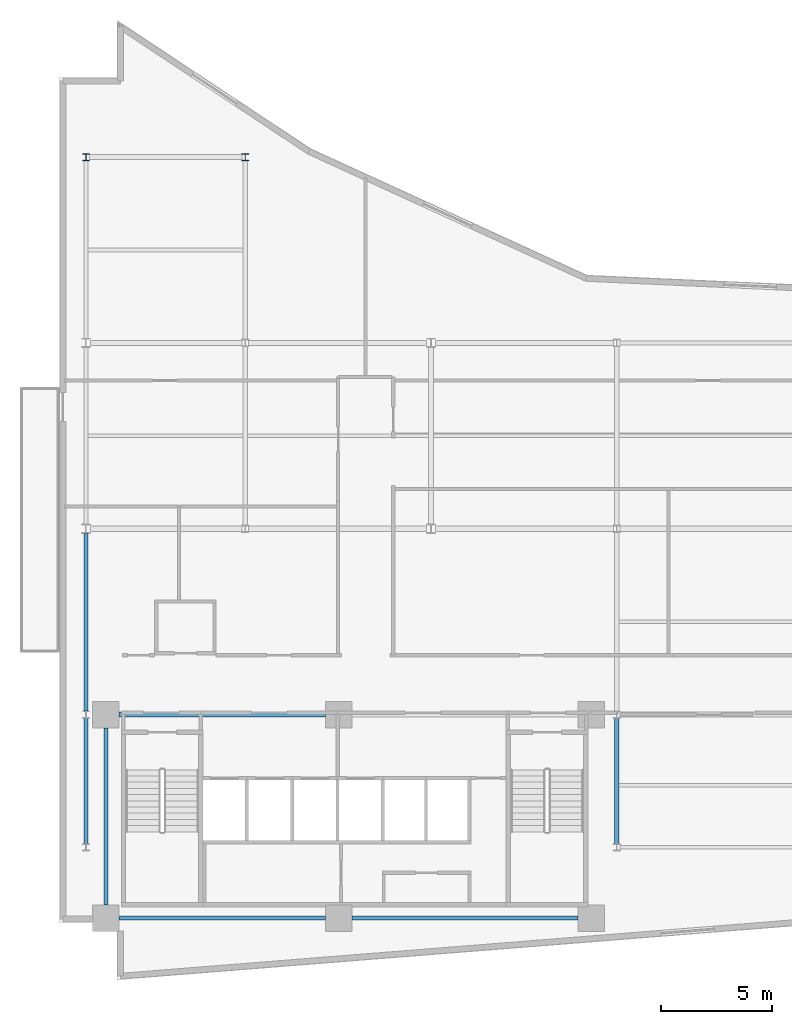
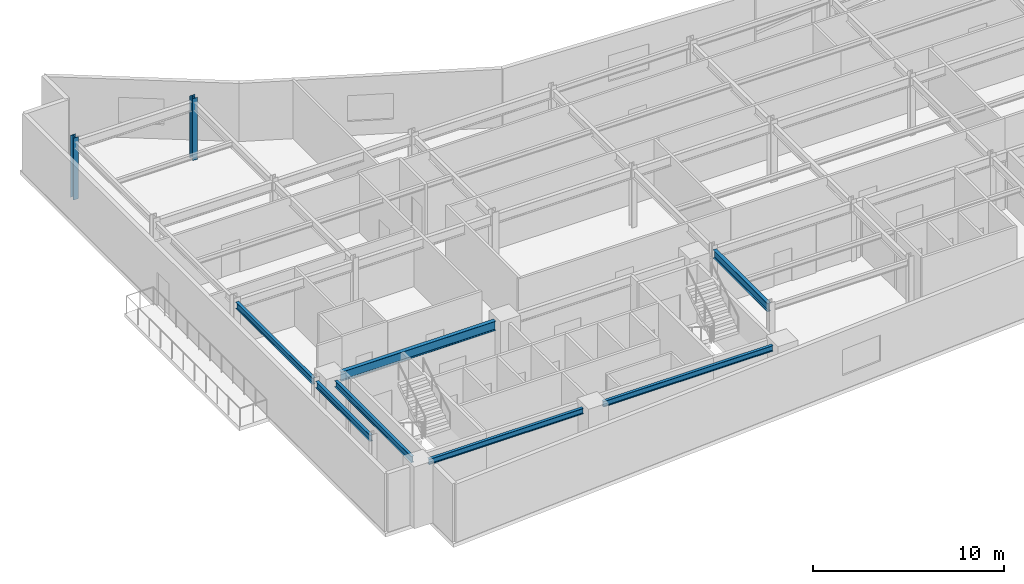
# One storey, part 3 of 16: 7 beams, 2 columns.
"""IFC4 building model written with IfcOpenShell, lengths in metres."""

import ifcopenshell
import ifcopenshell.guid

model = None  # the IFC model being written
_history = None  # IfcOwnerHistory: only IFC2X3 demands one
_inside = {}  # id of a spatial element -> (the spatial element, [elements in it])
_under = {}  # id of a project, library or spatial element -> (it, [spatial elements below it])
_declared = {}  # id of a project -> (the project, [libraries it declares])
_typed = {}  # id of a type object -> (the type object, [elements of that type])
_made_of = {}  # id of a material, layer set ... -> (it, [elements and type objects made of it])


def new_model(schema):
    """Start an empty IFC model of exactly this schema.

    Asked for "IFC4X3", IfcOpenShell would pick the latest addendum, in which some entities
    have other attributes; the version numbers below select the first issue.
    IFC2X3 requires an IfcOwnerHistory on every rooted entity: one is made here for all.
    """
    global model, _history
    if schema == "IFC4X3":
        model = ifcopenshell.file(schema_version=(4, 3, 0, 0))
    else:
        model = ifcopenshell.file(schema=schema)
    _inside.clear()
    _under.clear()
    _declared.clear()
    _typed.clear()
    _made_of.clear()
    _history = None
    if model.schema == "IFC2X3":
        org = make("IfcOrganization", Name="unknown")
        user = make(
            "IfcPersonAndOrganization",
            ThePerson=make("IfcPerson", FamilyName="unknown"),
            TheOrganization=org,
        )
        app = make(
            "IfcApplication",
            ApplicationDeveloper=org,
            Version="unknown",
            ApplicationFullName="unknown",
            ApplicationIdentifier="unknown",
        )
        _history = make(
            "IfcOwnerHistory",
            OwningUser=user,
            OwningApplication=app,
            ChangeAction="ADDED",
            CreationDate=0,
        )
    return model


def make(cls, **values):
    """One entity of the class cls with the attributes given. An attribute that is None is left unset."""
    return model.create_entity(
        cls, **{name: value for name, value in values.items() if value is not None}
    )


def rooted(cls, **values):
    """An entity with a GlobalId (a new one), such as an element, a storey or a relation."""
    return make(cls, GlobalId=ifcopenshell.guid.new(), OwnerHistory=_history, **values)


def si_unit(unit_type, name, prefix=None):
    """IfcSIUnit, for example si_unit("LENGTHUNIT", "METRE", prefix="MILLI")."""
    return make("IfcSIUnit", UnitType=unit_type, Prefix=prefix, Name=name)


def assignment(units):
    """IfcUnitAssignment: the units of a project."""
    return None if units is None else make("IfcUnitAssignment", Units=units)


def point(xyz):
    """IfcCartesianPoint."""
    return None if xyz is None else make("IfcCartesianPoint", Coordinates=xyz)


def direction(xyz):
    """IfcDirection."""
    return None if xyz is None else make("IfcDirection", DirectionRatios=xyz)


def frame(location, z_axis=None, x_axis=None):
    """IfcAxis2Placement3D, a coordinate frame: its origin and axes. An axis left out is left unset."""
    return make(
        "IfcAxis2Placement3D",
        Location=point(location),
        Axis=direction(z_axis),
        RefDirection=direction(x_axis),
    )


def frame_2d(location, x_axis=None):
    """IfcAxis2Placement2D, a coordinate frame in the plane: its origin and x axis."""
    return make(
        "IfcAxis2Placement2D", Location=point(location), RefDirection=direction(x_axis)
    )


def origin():
    """The frame at (0, 0, 0) with its axes left unset."""
    return frame((0.0, 0.0, 0.0))


def origin_2d():
    """The frame at (0, 0) in the plane with its x axis left unset."""
    return frame_2d((0.0, 0.0))


def place(relative_to, where):
    """IfcLocalPlacement: puts the frame where relative to a parent placement (None: the world)."""
    return make(
        "IfcLocalPlacement", PlacementRelTo=relative_to, RelativePlacement=where
    )


def context(
    kind, dimensions, precision=None, world=None, true_north=None, identifier=None
):
    """IfcGeometricRepresentationContext, for example the 3D "Model" context."""
    return make(
        "IfcGeometricRepresentationContext",
        ContextIdentifier=identifier,
        ContextType=kind,
        CoordinateSpaceDimension=dimensions,
        Precision=precision,
        WorldCoordinateSystem=world,
        TrueNorth=true_north,
    )


def subcontext(parent, identifier, kind, view, scale=None):
    """IfcGeometricRepresentationSubContext, for example "Body" below "Model"."""
    return make(
        "IfcGeometricRepresentationSubContext",
        ContextIdentifier=identifier,
        ContextType=kind,
        ParentContext=parent,
        TargetScale=scale,
        TargetView=view,
    )


def project(units=None, contexts=None):
    """IfcProject with its units and contexts."""
    return rooted(
        "IfcProject",
        Name="project",
        RepresentationContexts=contexts,
        UnitsInContext=assignment(units),
    )


def spatial(cls, under=None, at=None, **own):
    """A site, building, storey or space (cls), placed at a placement, below another one or the project."""
    s = rooted(cls, ObjectPlacement=at, **own)
    if under is not None:
        _under.setdefault(under.id(), (under, []))[1].append(s)
    return s


def profile(cls, at=None, kind="AREA", **sizes):
    """A parametric profile (cls). Its sizes go by their IFC names, for example OverallWidth=200.0."""
    return make(cls, ProfileType=kind, Position=at, **sizes)


def i_section(**sizes):
    """IfcIShapeProfileDef."""
    return profile("IfcIShapeProfileDef", **sizes)


def extrude(swept, where, along, depth):
    """IfcExtrudedAreaSolid: the profile swept, set in the frame where, extruded along a direction by depth."""
    return make(
        "IfcExtrudedAreaSolid",
        SweptArea=swept,
        Position=where,
        ExtrudedDirection=direction(along),
        Depth=depth,
    )


def shape(context_of_items, identifier, shape_type, items):
    """IfcShapeRepresentation: the items that make up one representation, for example the "Body"."""
    return make(
        "IfcShapeRepresentation",
        ContextOfItems=context_of_items,
        RepresentationIdentifier=identifier,
        RepresentationType=shape_type,
        Items=items,
    )


def material(Name=None, Category=None):
    """IfcMaterial."""
    return make("IfcMaterial", Name=Name, Category=Category)


def material_profile(
    of_material, cross_section, Name=None, Category=None, Priority=None
):
    """IfcMaterialProfile: a cross section and its material."""
    return make(
        "IfcMaterialProfile",
        Name=Name,
        Material=of_material,
        Profile=cross_section,
        Priority=Priority,
        Category=Category,
    )


def profile_set(profiles, Name=None, composite=None):
    """IfcMaterialProfileSet."""
    return make(
        "IfcMaterialProfileSet",
        Name=Name,
        MaterialProfiles=profiles,
        CompositeProfile=composite,
    )


def made_of(thing, what):
    """Note that an element or type object is made of a material, layer set ...; save() writes the relation."""
    if what is not None:
        _made_of.setdefault(what.id(), (what, []))[1].append(thing)
    return thing


def type_object(cls, material=None, **own):
    """A type object (cls), such as IfcWallType, which elements share."""
    return made_of(rooted(cls, **own), material)


def element(
    cls,
    number,
    at=None,
    inside=None,
    cuts=None,
    type_object=None,
    material=None,
    context=None,
    identifier="Body",
    shape_type=None,
    held_by="IfcProductDefinitionShape",
    body=None,
    shapes=None,
    **own,
):
    """One element of the class cls, such as IfcWall. Its Tag is "e" and its number.

    at: its placement. inside: the storey or other place that contains it. cuts: it is an
    opening in that element (IfcRelVoidsElement). A single representation is given by context,
    identifier, shape_type and body (its items); several are given by shapes. held_by: the class
    of the entity that holds the representations. save() writes the other relations.
    """
    e = rooted(cls, Tag="e%d" % number, ObjectPlacement=at, **own)
    if body is not None:
        shapes = [shape(context, identifier, shape_type, body)]
    if shapes is not None:
        e.Representation = make(held_by, Representations=shapes)
    if inside is not None:
        _inside.setdefault(inside.id(), (inside, []))[1].append(e)
    if cuts is not None:
        rooted(
            "IfcRelVoidsElement", RelatingBuildingElement=cuts, RelatedOpeningElement=e
        )
    if type_object is not None:
        _typed.setdefault(type_object.id(), (type_object, []))[1].append(e)
    return made_of(e, material)


def aggregate(whole, parts):
    """IfcRelAggregates: a whole, such as a stair, and the parts it consists of."""
    return rooted("IfcRelAggregates", RelatingObject=whole, RelatedObjects=parts)


def save(model, path):
    """Write the relations noted so far, then the file.

    IfcRelAggregates (storeys below a building ...), IfcRelContainedInSpatialStructure (elements
    in a storey), IfcRelDefinesByType, IfcRelAssociatesMaterial and IfcRelDeclares: one each for
    every whole, place, type object, material and project.
    """
    for whole, parts in _under.values():
        aggregate(whole, parts)
    for where, things in _inside.values():
        rooted(
            "IfcRelContainedInSpatialStructure",
            RelatedElements=things,
            RelatingStructure=where,
        )
    for kind, things in _typed.values():
        rooted("IfcRelDefinesByType", RelatedObjects=things, RelatingType=kind)
    for what, things in _made_of.values():
        rooted("IfcRelAssociatesMaterial", RelatedObjects=things, RelatingMaterial=what)
    for by, libraries in _declared.values():
        rooted("IfcRelDeclares", RelatingContext=by, RelatedDefinitions=libraries)
    model.write(path)


model = new_model("IFC4")

# Units and contexts
model_context = context("Model", 3, precision=1e-05, world=origin(), true_north=direction((0.0, 1.0)))
body_context = subcontext(model_context, "Body", "Model", "MODEL_VIEW")
ifc_project = project(units=[si_unit("LENGTHUNIT", "METRE"), si_unit("AREAUNIT", "SQUARE_METRE"), si_unit("VOLUMEUNIT", "CUBIC_METRE"), si_unit("PLANEANGLEUNIT", "RADIAN"), si_unit("MASSUNIT", "GRAM", prefix="KILO")], contexts=[model_context])

# Site, building, storey
site_placement = place(None, origin())
site = spatial("IfcSite", under=ifc_project, at=site_placement, CompositionType="ELEMENT")
building_placement = place(site_placement, origin())
building = spatial("IfcBuilding", under=site, at=building_placement, Name="Varnakote Quay Hospital", CompositionType="ELEMENT")
storey_placement = place(building_placement, frame((0.0, 0.0, 166.550048828125)))
storey = spatial("IfcBuildingStorey", under=building, at=storey_placement, Name="L41", CompositionType="ELEMENT", Elevation=166.550048828125)

# Columns
ifc_material_1 = material(Name="Structural steel AS/NZS 3679.1 Grade 350 L0 (fy 340 MPa)", Category="steel")
ifc_material_profile_1 = material_profile(ifc_material_1, i_section(OverallWidth=0.306884765625, OverallDepth=0.31494140625, WebThickness=0.011962890625, FlangeThickness=0.018798828125, FilletRadius=0.0166015625, at=origin_2d()), Name="310UC118")
ifc_profile_set_1 = profile_set([ifc_material_profile_1], Name="Structural steel AS/NZS 3679.1 Grade 350 L0 (fy 340 MPa)")
column_type = type_object("IfcColumnType", Name="COL-STL-310UC118", PredefinedType="COLUMN", material=ifc_profile_set_1)
for number, where, z_axis, x_axis, name in (
    (1, (1.199951171875, 37.199951171875, 0.0), (0.0, 0.0, 1.0), (1.0, 0.0, 0.0), "L41 Structural Column C-1-37"),
    (2, (8.39990234375, 37.199951171875, 0.0), (0.0, 0.0, 1.0), (1.0, 0.0, 0.0), "L41 Structural Column C-8-37"),
):
    element("IfcColumn", number, at=place(storey_placement, frame(where, z_axis=z_axis, x_axis=x_axis)), inside=storey, type_object=column_type, Name=name, PredefinedType="COLUMN", context=body_context, shape_type="SweptSolid", body=[
        extrude(i_section(OverallWidth=0.306884765625, OverallDepth=0.31494140625, WebThickness=0.011962890625, FlangeThickness=0.018798828125, FilletRadius=0.0166015625, at=origin_2d()), origin(), (0.0, 0.0, 1.0), 3.949951171875),
    ])

# Beams
ifc_material_2 = material(Name="Structural steel AS/NZS 3679.1 Grade 350 L0 (fy 340 MPa)", Category="steel")
ifc_material_profile_2 = material_profile(ifc_material_2, i_section(OverallWidth=0.208984375, OverallDepth=0.532958984375, WebThickness=0.01025390625, FlangeThickness=0.015625, FilletRadius=0.013916015625, at=origin_2d()), Name="530UB92.4")
ifc_profile_set_2 = profile_set([ifc_material_profile_2], Name="Structural steel AS/NZS 3679.1 Grade 350 L0 (fy 340 MPa)")
beam_type_1 = type_object("IfcBeamType", Name="BM-STL-530UB92-4", PredefinedType="BEAM", material=ifc_profile_set_2)
beam_1_placement = place(storey_placement, frame((25.199951171875, 6.157470703125, 3.443359375), z_axis=(0.0, 1.0, 0.0), x_axis=(-1.0, 0.0, 0.0)))
element("IfcBeam", 3, at=beam_1_placement, inside=storey, type_object=beam_type_1, Name="L41 Primary Tie Beam", PredefinedType="BEAM", context=body_context, shape_type="SweptSolid", body=[
    extrude(i_section(OverallWidth=0.208984375, OverallDepth=0.532958984375, WebThickness=0.01025390625, FlangeThickness=0.015625, FilletRadius=0.013916015625, at=origin_2d()), origin(), (0.0, 0.0, 1.0), 5.68505859375),
])
ifc_material_3 = material(Name="Structural steel AS/NZS 3679.1 Grade 350 L0 (fy 340 MPa)", Category="steel")
ifc_material_profile_3 = material_profile(ifc_material_3, i_section(OverallWidth=0.22802734375, OverallDepth=0.60205078125, WebThickness=0.010498046875, FlangeThickness=0.014892578125, FilletRadius=0.013916015625, at=origin_2d()), Name="610UB101")
ifc_profile_set_3 = profile_set([ifc_material_profile_3], Name="Structural steel AS/NZS 3679.1 Grade 350 L0 (fy 340 MPa)")
beam_type_2 = type_object("IfcBeamType", Name="BM-STL-610UB101", PredefinedType="BEAM", material=ifc_profile_set_3)
beam_2_placement = place(storey_placement, frame((2.699951171875, 12.0, 3.408935546875), z_axis=(1.0, 0.0, 0.0), x_axis=(0.0, 1.0, 0.0)))
element("IfcBeam", 4, at=beam_2_placement, inside=storey, type_object=beam_type_2, Name="L41 Primary Floor Beam", PredefinedType="BEAM", context=body_context, shape_type="SweptSolid", body=[
    extrude(i_section(OverallWidth=0.22802734375, OverallDepth=0.60205078125, WebThickness=0.010498046875, FlangeThickness=0.014892578125, FilletRadius=0.013916015625, at=origin_2d()), origin(), (0.0, 0.0, 1.0), 9.320068359375),
])
ifc_material_4 = material(Name="Structural steel AS/NZS 3679.1 Grade 350 L0 (fy 340 MPa)", Category="steel")
ifc_material_profile_4 = material_profile(ifc_material_4, i_section(OverallWidth=0.172119140625, OverallDepth=0.35888671875, WebThickness=0.008056640625, FlangeThickness=0.012939453125, FilletRadius=0.011474609375, at=origin_2d()), Name="360UB56.7")
ifc_profile_set_4 = profile_set([ifc_material_profile_4], Name="Structural steel AS/NZS 3679.1 Grade 350 L0 (fy 340 MPa)")
beam_type_3 = type_object("IfcBeamType", Name="SPN-STL-360UB56-7", PredefinedType="SPANDREL", material=ifc_profile_set_4)
beam_3_placement = place(storey_placement, frame((2.699951171875, 2.800048828125, 3.530517578125), z_axis=(1.0, 0.0, 0.0), x_axis=(0.0, 1.0, 0.0)))
element("IfcBeam", 5, at=beam_3_placement, inside=storey, type_object=beam_type_3, Name="L41 Perimeter Spandrel Beam", PredefinedType="SPANDREL", context=body_context, shape_type="SweptSolid", body=[
    extrude(i_section(OverallWidth=0.172119140625, OverallDepth=0.35888671875, WebThickness=0.008056640625, FlangeThickness=0.012939453125, FilletRadius=0.011474609375, at=origin_2d()), origin(), (0.0, 0.0, 1.0), 9.320068359375),
])
beam_4_placement = place(storey_placement, frame((13.219970703125, 2.800048828125, 3.530517578125), z_axis=(1.0, 0.0, 0.0), x_axis=(0.0, 1.0, 0.0)))
element("IfcBeam", 6, at=beam_4_placement, inside=storey, type_object=beam_type_3, Name="L41 Perimeter Spandrel Beam", PredefinedType="SPANDREL", context=body_context, shape_type="SweptSolid", body=[
    extrude(i_section(OverallWidth=0.172119140625, OverallDepth=0.35888671875, WebThickness=0.008056640625, FlangeThickness=0.012939453125, FilletRadius=0.011474609375, at=origin_2d()), origin(), (0.0, 0.0, 1.0), 10.22998046875),
])
ifc_material_5 = material(Name="Structural steel AS/NZS 3679.1 Grade 350 L0 (fy 340 MPa)", Category="steel")
ifc_material_profile_5 = material_profile(ifc_material_5, i_section(OverallWidth=0.177978515625, OverallDepth=0.403076171875, WebThickness=0.007568359375, FlangeThickness=0.010986328125, FilletRadius=0.011474609375, at=origin_2d()), Name="410UB53.7")
ifc_profile_set_5 = profile_set([ifc_material_profile_5], Name="Structural steel AS/NZS 3679.1 Grade 350 L0 (fy 340 MPa)")
beam_type_4 = type_object("IfcBeamType", Name="SPN-STL-410UB53-7", PredefinedType="SPANDREL", material=ifc_profile_set_5)
beam_5_placement = place(storey_placement, frame((1.199951171875, 6.157470703125, 3.508544921875), z_axis=(0.0, 1.0, 0.0), x_axis=(-1.0, 0.0, 0.0)))
element("IfcBeam", 7, at=beam_5_placement, inside=storey, type_object=beam_type_4, Name="L41 Perimeter Spandrel Beam", PredefinedType="SPANDREL", context=body_context, shape_type="SweptSolid", body=[
    extrude(i_section(OverallWidth=0.177978515625, OverallDepth=0.403076171875, WebThickness=0.007568359375, FlangeThickness=0.010986328125, FilletRadius=0.011474609375, at=origin_2d()), origin(), (0.0, 0.0, 1.0), 5.68505859375),
])
beam_6_placement = place(storey_placement, frame((1.199951171875, 12.157470703125, 3.508544921875), z_axis=(0.0, 1.0, 0.0), x_axis=(-1.0, 0.0, 0.0)))
element("IfcBeam", 8, at=beam_6_placement, inside=storey, type_object=beam_type_4, Name="L41 Perimeter Spandrel Beam", PredefinedType="SPANDREL", context=body_context, shape_type="SweptSolid", body=[
    extrude(i_section(OverallWidth=0.177978515625, OverallDepth=0.403076171875, WebThickness=0.007568359375, FlangeThickness=0.010986328125, FilletRadius=0.011474609375, at=origin_2d()), origin(), (0.0, 0.0, 1.0), 8.032470703125),
])
beam_7_placement = place(storey_placement, frame((2.10009765625, 3.39990234375, 3.508544921875), z_axis=(0.0, 1.0, 0.0), x_axis=(-1.0, 0.0, 0.0)))
element("IfcBeam", 9, at=beam_7_placement, inside=storey, type_object=beam_type_4, Name="L41 Perimeter Spandrel Beam", PredefinedType="SPANDREL", context=body_context, shape_type="SweptSolid", body=[
    extrude(i_section(OverallWidth=0.177978515625, OverallDepth=0.403076171875, WebThickness=0.007568359375, FlangeThickness=0.010986328125, FilletRadius=0.011474609375, at=origin_2d()), origin(), (0.0, 0.0, 1.0), 8.0),
])

save(model, "model.ifc")
